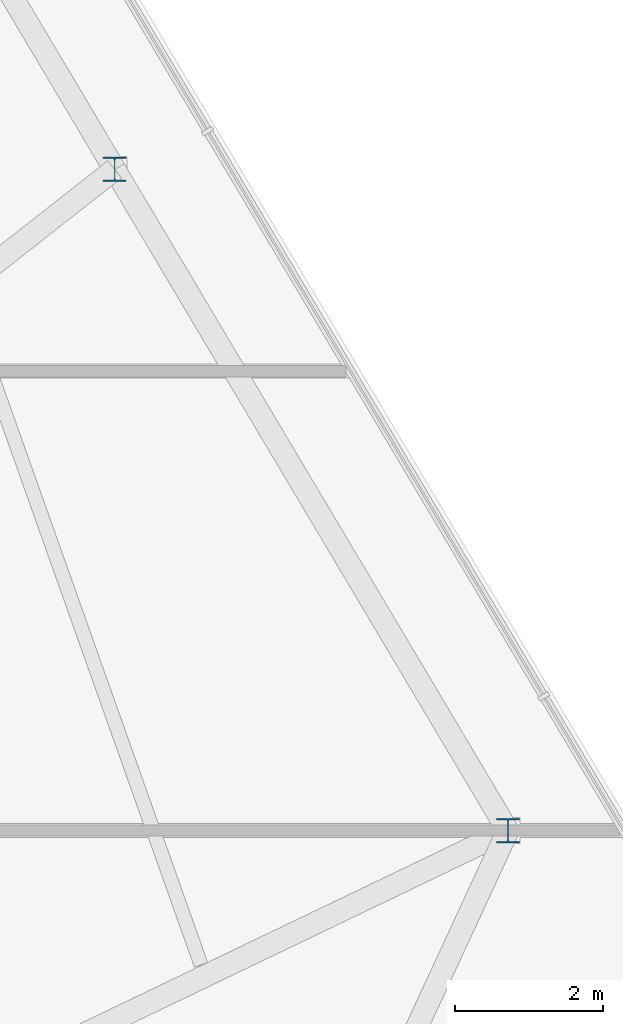
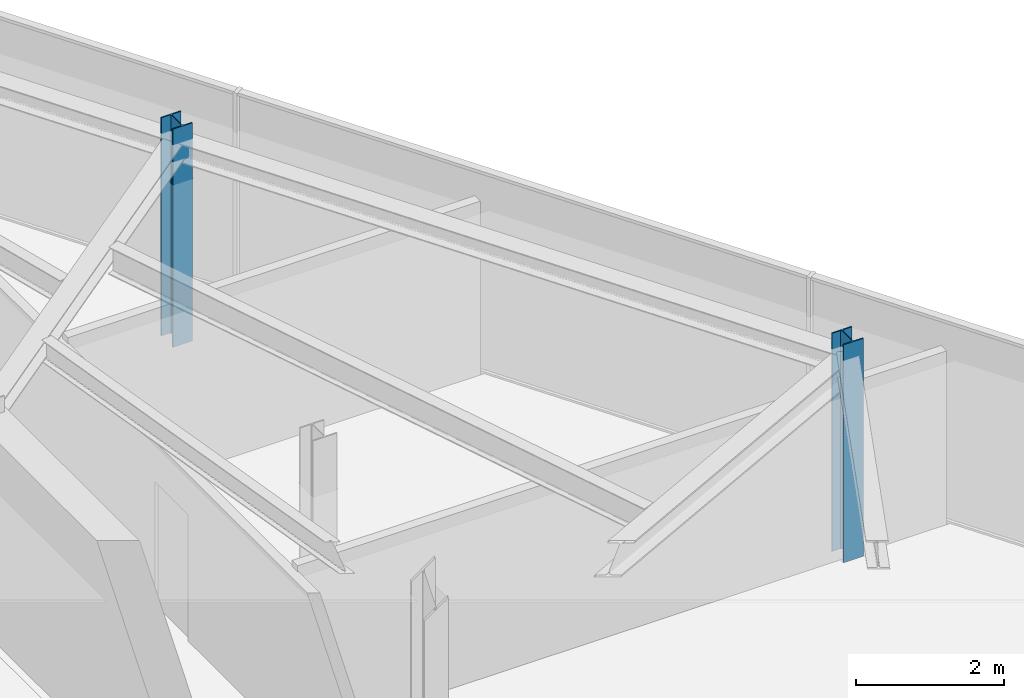
# One storey, part 2 of 14: 2 columns.
"""IFC4 building model written with IfcOpenShell, lengths in metres."""

import ifcopenshell
import ifcopenshell.guid

model = None  # the IFC model being written
_history = None  # IfcOwnerHistory: only IFC2X3 demands one
_inside = {}  # id of a spatial element -> (the spatial element, [elements in it])
_under = {}  # id of a project, library or spatial element -> (it, [spatial elements below it])
_declared = {}  # id of a project -> (the project, [libraries it declares])
_typed = {}  # id of a type object -> (the type object, [elements of that type])
_made_of = {}  # id of a material, layer set ... -> (it, [elements and type objects made of it])


def new_model(schema):
    """Start an empty IFC model of exactly this schema.

    Asked for "IFC4X3", IfcOpenShell would pick the latest addendum, in which some entities
    have other attributes; the version numbers below select the first issue.
    IFC2X3 requires an IfcOwnerHistory on every rooted entity: one is made here for all.
    """
    global model, _history
    if schema == "IFC4X3":
        model = ifcopenshell.file(schema_version=(4, 3, 0, 0))
    else:
        model = ifcopenshell.file(schema=schema)
    _inside.clear()
    _under.clear()
    _declared.clear()
    _typed.clear()
    _made_of.clear()
    _history = None
    if model.schema == "IFC2X3":
        org = make("IfcOrganization", Name="unknown")
        user = make(
            "IfcPersonAndOrganization",
            ThePerson=make("IfcPerson", FamilyName="unknown"),
            TheOrganization=org,
        )
        app = make(
            "IfcApplication",
            ApplicationDeveloper=org,
            Version="unknown",
            ApplicationFullName="unknown",
            ApplicationIdentifier="unknown",
        )
        _history = make(
            "IfcOwnerHistory",
            OwningUser=user,
            OwningApplication=app,
            ChangeAction="ADDED",
            CreationDate=0,
        )
    return model


def make(cls, **values):
    """One entity of the class cls with the attributes given. An attribute that is None is left unset."""
    return model.create_entity(
        cls, **{name: value for name, value in values.items() if value is not None}
    )


def rooted(cls, **values):
    """An entity with a GlobalId (a new one), such as an element, a storey or a relation."""
    return make(cls, GlobalId=ifcopenshell.guid.new(), OwnerHistory=_history, **values)


def si_unit(unit_type, name, prefix=None):
    """IfcSIUnit, for example si_unit("LENGTHUNIT", "METRE", prefix="MILLI")."""
    return make("IfcSIUnit", UnitType=unit_type, Prefix=prefix, Name=name)


def assignment(units):
    """IfcUnitAssignment: the units of a project."""
    return None if units is None else make("IfcUnitAssignment", Units=units)


def point(xyz):
    """IfcCartesianPoint."""
    return None if xyz is None else make("IfcCartesianPoint", Coordinates=xyz)


def direction(xyz):
    """IfcDirection."""
    return None if xyz is None else make("IfcDirection", DirectionRatios=xyz)


def frame(location, z_axis=None, x_axis=None):
    """IfcAxis2Placement3D, a coordinate frame: its origin and axes. An axis left out is left unset."""
    return make(
        "IfcAxis2Placement3D",
        Location=point(location),
        Axis=direction(z_axis),
        RefDirection=direction(x_axis),
    )


def frame_2d(location, x_axis=None):
    """IfcAxis2Placement2D, a coordinate frame in the plane: its origin and x axis."""
    return make(
        "IfcAxis2Placement2D", Location=point(location), RefDirection=direction(x_axis)
    )


def origin():
    """The frame at (0, 0, 0) with its axes left unset."""
    return frame((0.0, 0.0, 0.0))


def origin_2d():
    """The frame at (0, 0) in the plane with its x axis left unset."""
    return frame_2d((0.0, 0.0))


def place(relative_to, where):
    """IfcLocalPlacement: puts the frame where relative to a parent placement (None: the world)."""
    return make(
        "IfcLocalPlacement", PlacementRelTo=relative_to, RelativePlacement=where
    )


def context(
    kind, dimensions, precision=None, world=None, true_north=None, identifier=None
):
    """IfcGeometricRepresentationContext, for example the 3D "Model" context."""
    return make(
        "IfcGeometricRepresentationContext",
        ContextIdentifier=identifier,
        ContextType=kind,
        CoordinateSpaceDimension=dimensions,
        Precision=precision,
        WorldCoordinateSystem=world,
        TrueNorth=true_north,
    )


def subcontext(parent, identifier, kind, view, scale=None):
    """IfcGeometricRepresentationSubContext, for example "Body" below "Model"."""
    return make(
        "IfcGeometricRepresentationSubContext",
        ContextIdentifier=identifier,
        ContextType=kind,
        ParentContext=parent,
        TargetScale=scale,
        TargetView=view,
    )


def project(units=None, contexts=None):
    """IfcProject with its units and contexts."""
    return rooted(
        "IfcProject",
        Name="project",
        RepresentationContexts=contexts,
        UnitsInContext=assignment(units),
    )


def spatial(cls, under=None, at=None, **own):
    """A site, building, storey or space (cls), placed at a placement, below another one or the project."""
    s = rooted(cls, ObjectPlacement=at, **own)
    if under is not None:
        _under.setdefault(under.id(), (under, []))[1].append(s)
    return s


def profile(cls, at=None, kind="AREA", **sizes):
    """A parametric profile (cls). Its sizes go by their IFC names, for example OverallWidth=200.0."""
    return make(cls, ProfileType=kind, Position=at, **sizes)


def i_section(**sizes):
    """IfcIShapeProfileDef."""
    return profile("IfcIShapeProfileDef", **sizes)


def extrude(swept, where, along, depth):
    """IfcExtrudedAreaSolid: the profile swept, set in the frame where, extruded along a direction by depth."""
    return make(
        "IfcExtrudedAreaSolid",
        SweptArea=swept,
        Position=where,
        ExtrudedDirection=direction(along),
        Depth=depth,
    )


def shape(context_of_items, identifier, shape_type, items):
    """IfcShapeRepresentation: the items that make up one representation, for example the "Body"."""
    return make(
        "IfcShapeRepresentation",
        ContextOfItems=context_of_items,
        RepresentationIdentifier=identifier,
        RepresentationType=shape_type,
        Items=items,
    )


def material(Name=None, Category=None):
    """IfcMaterial."""
    return make("IfcMaterial", Name=Name, Category=Category)


def material_profile(
    of_material, cross_section, Name=None, Category=None, Priority=None
):
    """IfcMaterialProfile: a cross section and its material."""
    return make(
        "IfcMaterialProfile",
        Name=Name,
        Material=of_material,
        Profile=cross_section,
        Priority=Priority,
        Category=Category,
    )


def profile_set(profiles, Name=None, composite=None):
    """IfcMaterialProfileSet."""
    return make(
        "IfcMaterialProfileSet",
        Name=Name,
        MaterialProfiles=profiles,
        CompositeProfile=composite,
    )


def made_of(thing, what):
    """Note that an element or type object is made of a material, layer set ...; save() writes the relation."""
    if what is not None:
        _made_of.setdefault(what.id(), (what, []))[1].append(thing)
    return thing


def type_object(cls, material=None, **own):
    """A type object (cls), such as IfcWallType, which elements share."""
    return made_of(rooted(cls, **own), material)


def element(
    cls,
    number,
    at=None,
    inside=None,
    cuts=None,
    type_object=None,
    material=None,
    context=None,
    identifier="Body",
    shape_type=None,
    held_by="IfcProductDefinitionShape",
    body=None,
    shapes=None,
    **own,
):
    """One element of the class cls, such as IfcWall. Its Tag is "e" and its number.

    at: its placement. inside: the storey or other place that contains it. cuts: it is an
    opening in that element (IfcRelVoidsElement). A single representation is given by context,
    identifier, shape_type and body (its items); several are given by shapes. held_by: the class
    of the entity that holds the representations. save() writes the other relations.
    """
    e = rooted(cls, Tag="e%d" % number, ObjectPlacement=at, **own)
    if body is not None:
        shapes = [shape(context, identifier, shape_type, body)]
    if shapes is not None:
        e.Representation = make(held_by, Representations=shapes)
    if inside is not None:
        _inside.setdefault(inside.id(), (inside, []))[1].append(e)
    if cuts is not None:
        rooted(
            "IfcRelVoidsElement", RelatingBuildingElement=cuts, RelatedOpeningElement=e
        )
    if type_object is not None:
        _typed.setdefault(type_object.id(), (type_object, []))[1].append(e)
    return made_of(e, material)


def aggregate(whole, parts):
    """IfcRelAggregates: a whole, such as a stair, and the parts it consists of."""
    return rooted("IfcRelAggregates", RelatingObject=whole, RelatedObjects=parts)


def save(model, path):
    """Write the relations noted so far, then the file.

    IfcRelAggregates (storeys below a building ...), IfcRelContainedInSpatialStructure (elements
    in a storey), IfcRelDefinesByType, IfcRelAssociatesMaterial and IfcRelDeclares: one each for
    every whole, place, type object, material and project.
    """
    for whole, parts in _under.values():
        aggregate(whole, parts)
    for where, things in _inside.values():
        rooted(
            "IfcRelContainedInSpatialStructure",
            RelatedElements=things,
            RelatingStructure=where,
        )
    for kind, things in _typed.values():
        rooted("IfcRelDefinesByType", RelatedObjects=things, RelatingType=kind)
    for what, things in _made_of.values():
        rooted("IfcRelAssociatesMaterial", RelatedObjects=things, RelatingMaterial=what)
    for by, libraries in _declared.values():
        rooted("IfcRelDeclares", RelatingContext=by, RelatedDefinitions=libraries)
    model.write(path)


model = new_model("IFC4")

# Units and contexts
model_context = context("Model", 3, precision=1e-05, world=origin(), true_north=direction((0.0, 1.0)))
body_context = subcontext(model_context, "Body", "Model", "MODEL_VIEW")
ifc_project = project(units=[si_unit("LENGTHUNIT", "METRE"), si_unit("AREAUNIT", "SQUARE_METRE"), si_unit("VOLUMEUNIT", "CUBIC_METRE"), si_unit("PLANEANGLEUNIT", "RADIAN"), si_unit("MASSUNIT", "GRAM", prefix="KILO")], contexts=[model_context])

# Site, building, storey
site_placement = place(None, origin())
site = spatial("IfcSite", under=ifc_project, at=site_placement, CompositionType="ELEMENT")
building_placement = place(site_placement, origin())
building = spatial("IfcBuilding", under=site, at=building_placement, Name="Savorim Split Tower", CompositionType="ELEMENT")
storey_placement = place(building_placement, frame((0.0, 0.0, 294.0)))
storey = spatial("IfcBuildingStorey", under=building, at=storey_placement, Name="L78", CompositionType="ELEMENT", Elevation=294.0)

# Columns
ifc_material = material(Name="Steel S355", Category="steel")
ifc_material_profile = material_profile(ifc_material, i_section(OverallWidth=0.30908203125, OverallDepth=0.330078125, WebThickness=0.011474609375, FlangeThickness=0.01904296875, FilletRadius=0.027099609375, at=origin_2d()), Name="HD 320x158")
ifc_profile_set = profile_set([ifc_material_profile], Name="Steel S355")
column_type = type_object("IfcColumnType", Name="COL-HD-158", PredefinedType="COLUMN", material=ifc_profile_set)
for number, where, z_axis, x_axis, name in (
    (1, (18.44580078125, -4.239990234375, 0.005615234375), (0.0, 0.0, 1.0), (1.0, 0.0, 0.0), "L78 Tapered Perimeter Column PC-E1"),
    (2, (13.144287109375, 4.675537109375, 0.005615234375), (0.0, 0.0, 1.0), (1.0, 0.0, 0.0), "L78 Tapered Perimeter Column PC-E2"),
):
    element("IfcColumn", number, at=place(storey_placement, frame(where, z_axis=z_axis, x_axis=x_axis)), inside=storey, type_object=column_type, Name=name, PredefinedType="COLUMN", context=body_context, shape_type="SweptSolid", body=[
        extrude(i_section(OverallWidth=0.30908203125, OverallDepth=0.330078125, WebThickness=0.011474609375, FlangeThickness=0.01904296875, FilletRadius=0.027099609375, at=origin_2d()), origin(), (0.0, 0.0, 1.0), 3.594482421875),
    ])

save(model, "model.ifc")
